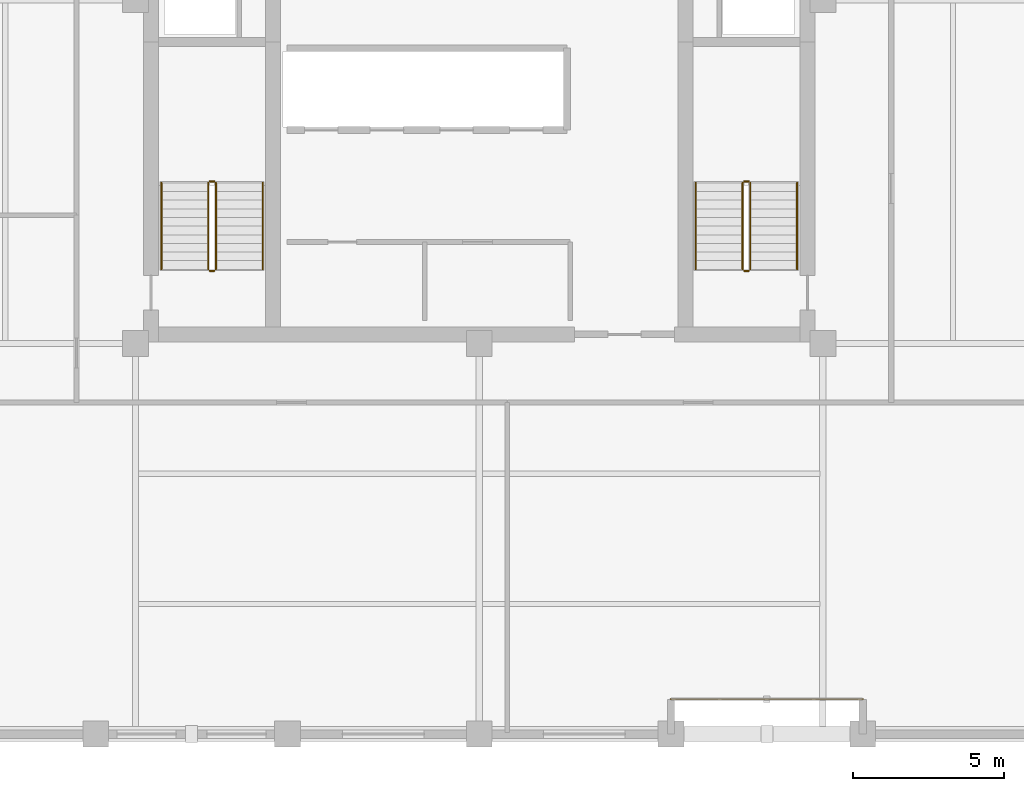
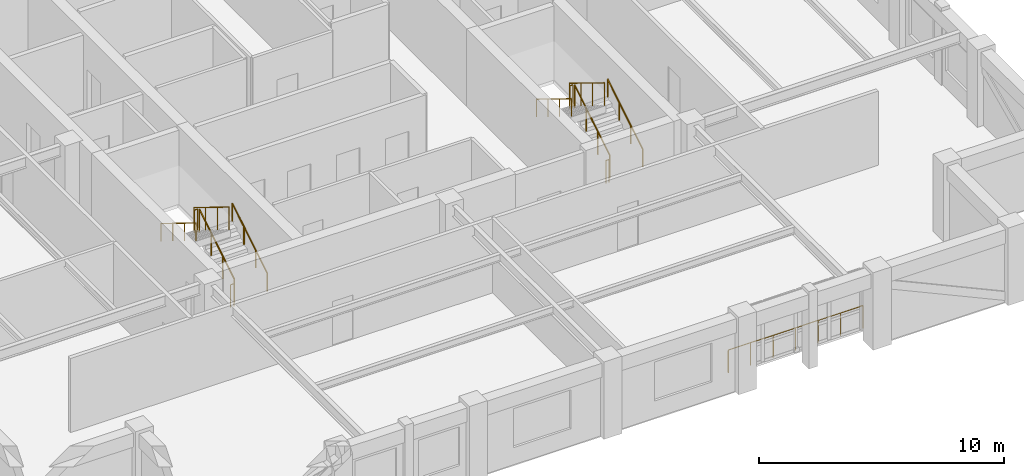
# One storey, part 13 of 13: 13 railings.
"""IFC4 building model written with IfcOpenShell, lengths in metres."""

from ifc_helpers import new_model, si_unit, direction, frame, origin, origin_2d, place, context, subcontext, project, spatial, circle, extrude, material, type_object, element, save


model = new_model("IFC4")

# Units and contexts
model_context = context("Model", 3, precision=1e-05, world=origin(), true_north=direction((0.0, 1.0)))
body_context = subcontext(model_context, "Body", "Model", "MODEL_VIEW")
ifc_project = project(units=[si_unit("LENGTHUNIT", "METRE"), si_unit("AREAUNIT", "SQUARE_METRE"), si_unit("VOLUMEUNIT", "CUBIC_METRE"), si_unit("PLANEANGLEUNIT", "RADIAN"), si_unit("MASSUNIT", "GRAM", prefix="KILO")], contexts=[model_context])

# Site, building, storey
site_placement = place(None, origin())
site = spatial("IfcSite", under=ifc_project, at=site_placement, CompositionType="ELEMENT")
building_placement = place(site_placement, origin())
building = spatial("IfcBuilding", under=site, at=building_placement, Name="Nhamokura Convention Tower", CompositionType="ELEMENT")
storey_placement = place(building_placement, frame((0.0, 0.0, 213.85009765625)))
storey = spatial("IfcBuildingStorey", under=building, at=storey_placement, Name="L52", CompositionType="ELEMENT", Elevation=213.85009765625)

# Railings
ifc_material_1 = material(Name="Anodised bronze stainless steel", Category="steel")
railing_type_1 = type_object("IfcRailingType", Name="StairWallHandrail_900", PredefinedType="HANDRAIL", material=ifc_material_1)
railing_1_placement = place(storey_placement, frame((24.85009765625, 23.10009765625, 0.1748046875)))
element("IfcRailing", 1, at=railing_1_placement, inside=storey, type_object=railing_type_1, Name="L52 ST-01 stair handrail 1", PredefinedType="HANDRAIL", context=body_context, shape_type="SweptSolid", body=[
    extrude(circle(Radius=0.02392578125, at=origin_2d()), frame((0.0, 0.0, 0.8759765625), z_axis=(0.0, 0.852159232446, 0.523282564737), x_axis=(-1.0, 0.0, 0.0)), (0.0, 0.0, 1.0), 3.34423828125),
    extrude(circle(Radius=0.02099609375, at=origin_2d()), origin(), (0.0, 0.0, 1.0), 0.851806640625),
    extrude(circle(Radius=0.02099609375, at=origin_2d()), frame((0.0, 0.949951171875, 0.583251953125)), (0.0, 0.0, 1.0), 0.851806640625),
    extrude(circle(Radius=0.02099609375, at=origin_2d()), frame((0.0, 1.89990234375, 1.166748046875)), (0.0, 0.0, 1.0), 0.851806640625),
    extrude(circle(Radius=0.02099609375, at=origin_2d()), frame((0.0, 2.849853515625, 1.75)), (0.0, 0.0, 1.0), 0.851806640625),
])
railing_2_placement = place(storey_placement, frame((21.5, 25.949951171875, 2.099853515625)))
element("IfcRailing", 2, at=railing_2_placement, inside=storey, type_object=railing_type_1, Name="L52 ST-01 stair handrail 2", PredefinedType="HANDRAIL", context=body_context, shape_type="SweptSolid", body=[
    extrude(circle(Radius=0.02392578125, at=origin_2d()), frame((0.0, 0.0, 0.8759765625), z_axis=(0.0, -0.852159232446, 0.523282564737), x_axis=(1.0, 0.0, 0.0)), (0.0, 0.0, 1.0), 3.34423828125),
    extrude(circle(Radius=0.02099609375, at=origin_2d()), origin(), (0.0, 0.0, 1.0), 0.851806640625),
    extrude(circle(Radius=0.02099609375, at=origin_2d()), frame((0.0, -0.949951171875, 0.583251953125)), (0.0, 0.0, 1.0), 0.851806640625),
    extrude(circle(Radius=0.02099609375, at=origin_2d()), frame((0.0, -1.89990234375, 1.166748046875)), (0.0, 0.0, 1.0), 0.851806640625),
    extrude(circle(Radius=0.02099609375, at=origin_2d()), frame((0.0, -2.849853515625, 1.75)), (0.0, 0.0, 1.0), 0.851806640625),
])
railing_3_placement = place(storey_placement, frame((42.5, 23.10009765625, 0.1748046875)))
element("IfcRailing", 3, at=railing_3_placement, inside=storey, type_object=railing_type_1, Name="L52 ST-02 stair handrail 1", PredefinedType="HANDRAIL", context=body_context, shape_type="SweptSolid", body=[
    extrude(circle(Radius=0.02392578125, at=origin_2d()), frame((0.0, 0.0, 0.8759765625), z_axis=(0.0, 0.852159232446, 0.523282564737), x_axis=(-1.0, 0.0, 0.0)), (0.0, 0.0, 1.0), 3.34423828125),
    extrude(circle(Radius=0.02099609375, at=origin_2d()), origin(), (0.0, 0.0, 1.0), 0.851806640625),
    extrude(circle(Radius=0.02099609375, at=origin_2d()), frame((0.0, 0.949951171875, 0.583251953125)), (0.0, 0.0, 1.0), 0.851806640625),
    extrude(circle(Radius=0.02099609375, at=origin_2d()), frame((0.0, 1.89990234375, 1.166748046875)), (0.0, 0.0, 1.0), 0.851806640625),
    extrude(circle(Radius=0.02099609375, at=origin_2d()), frame((0.0, 2.849853515625, 1.75)), (0.0, 0.0, 1.0), 0.851806640625),
])
railing_4_placement = place(storey_placement, frame((39.14990234375, 25.949951171875, 2.099853515625)))
element("IfcRailing", 4, at=railing_4_placement, inside=storey, type_object=railing_type_1, Name="L52 ST-02 stair handrail 2", PredefinedType="HANDRAIL", context=body_context, shape_type="SweptSolid", body=[
    extrude(circle(Radius=0.02392578125, at=origin_2d()), frame((0.0, 0.0, 0.8759765625), z_axis=(0.0, -0.852159232446, 0.523282564737), x_axis=(1.0, 0.0, 0.0)), (0.0, 0.0, 1.0), 3.34423828125),
    extrude(circle(Radius=0.02099609375, at=origin_2d()), origin(), (0.0, 0.0, 1.0), 0.851806640625),
    extrude(circle(Radius=0.02099609375, at=origin_2d()), frame((0.0, -0.949951171875, 0.583251953125)), (0.0, 0.0, 1.0), 0.851806640625),
    extrude(circle(Radius=0.02099609375, at=origin_2d()), frame((0.0, -1.89990234375, 1.166748046875)), (0.0, 0.0, 1.0), 0.851806640625),
    extrude(circle(Radius=0.02099609375, at=origin_2d()), frame((0.0, -2.849853515625, 1.75)), (0.0, 0.0, 1.0), 0.851806640625),
])
ifc_material_2 = material(Name="Painted tubular steel", Category="steel")
railing_type_2 = type_object("IfcRailingType", Name="StairWellGuardrail_1150", PredefinedType="GUARDRAIL", material=ifc_material_2)
railing_5_placement = place(storey_placement, frame((23.300048828125, 23.10009765625, 0.1748046875)))
element("IfcRailing", 5, at=railing_5_placement, inside=storey, type_object=railing_type_2, Name="L52 ST-01 stair guard 1", PredefinedType="GUARDRAIL", context=body_context, shape_type="SweptSolid", body=[
    extrude(circle(Radius=0.02392578125, at=origin_2d()), frame((0.0, 0.0, 1.1259765625), z_axis=(0.0, 0.852159232446, 0.523282564737), x_axis=(-1.0, 0.0, 0.0)), (0.0, 0.0, 1.0), 3.34423828125),
    extrude(circle(Radius=0.02099609375, at=origin_2d()), origin(), (0.0, 0.0, 1.0), 1.101806640625),
    extrude(circle(Radius=0.02099609375, at=origin_2d()), frame((0.0, 0.949951171875, 0.583251953125)), (0.0, 0.0, 1.0), 1.101806640625),
    extrude(circle(Radius=0.02099609375, at=origin_2d()), frame((0.0, 1.89990234375, 1.166748046875)), (0.0, 0.0, 1.0), 1.101806640625),
    extrude(circle(Radius=0.02099609375, at=origin_2d()), frame((0.0, 2.849853515625, 1.75)), (0.0, 0.0, 1.0), 1.101806640625),
])
railing_6_placement = place(storey_placement, frame((23.25, 26.0, 1.9248046875)))
element("IfcRailing", 6, at=railing_6_placement, inside=storey, type_object=railing_type_2, Name="L52 ST-01 stair guard 2", PredefinedType="GUARDRAIL", context=body_context, shape_type="SweptSolid", body=[
    extrude(circle(Radius=0.02392578125, at=origin_2d()), frame((0.0, 0.0, 1.1259765625), z_axis=(-1.0, 0.0, 0.0), x_axis=(0.0, -1.0, 0.0)), (0.0, 0.0, 1.0), 0.14990234375),
    extrude(circle(Radius=0.02099609375, at=origin_2d()), origin(), (0.0, 0.0, 1.0), 1.101806640625),
    extrude(circle(Radius=0.02099609375, at=origin_2d()), frame((-0.14990234375, 0.0, 0.0)), (0.0, 0.0, 1.0), 1.101806640625),
])
railing_7_placement = place(storey_placement, frame((23.050048828125, 25.949951171875, 2.099853515625)))
element("IfcRailing", 7, at=railing_7_placement, inside=storey, type_object=railing_type_2, Name="L52 ST-01 stair guard 3", PredefinedType="GUARDRAIL", context=body_context, shape_type="SweptSolid", body=[
    extrude(circle(Radius=0.02392578125, at=origin_2d()), frame((0.0, 0.0, 1.1259765625), z_axis=(0.0, -0.852159232446, 0.523282564737), x_axis=(1.0, 0.0, 0.0)), (0.0, 0.0, 1.0), 3.34423828125),
    extrude(circle(Radius=0.02099609375, at=origin_2d()), origin(), (0.0, 0.0, 1.0), 1.101806640625),
    extrude(circle(Radius=0.02099609375, at=origin_2d()), frame((0.0, -0.949951171875, 0.583251953125)), (0.0, 0.0, 1.0), 1.101806640625),
    extrude(circle(Radius=0.02099609375, at=origin_2d()), frame((0.0, -1.89990234375, 1.166748046875)), (0.0, 0.0, 1.0), 1.101806640625),
    extrude(circle(Radius=0.02099609375, at=origin_2d()), frame((0.0, -2.849853515625, 1.75)), (0.0, 0.0, 1.0), 1.101806640625),
])
railing_8_placement = place(storey_placement, frame((23.25, 23.050048828125, 0.0)))
element("IfcRailing", 8, at=railing_8_placement, inside=storey, type_object=railing_type_2, Name="L52 ST-01 stair guard 4", PredefinedType="GUARDRAIL", context=body_context, shape_type="SweptSolid", body=[
    extrude(circle(Radius=0.02392578125, at=origin_2d()), frame((0.0, 0.0, 1.1259765625), z_axis=(-1.0, 0.0, 0.0), x_axis=(0.0, -1.0, 0.0)), (0.0, 0.0, 1.0), 0.14990234375),
    extrude(circle(Radius=0.02099609375, at=origin_2d()), origin(), (0.0, 0.0, 1.0), 1.101806640625),
    extrude(circle(Radius=0.02099609375, at=origin_2d()), frame((-0.14990234375, 0.0, 0.0)), (0.0, 0.0, 1.0), 1.101806640625),
])
railing_9_placement = place(storey_placement, frame((40.949951171875, 23.10009765625, 0.1748046875)))
element("IfcRailing", 9, at=railing_9_placement, inside=storey, type_object=railing_type_2, Name="L52 ST-02 stair guard 1", PredefinedType="GUARDRAIL", context=body_context, shape_type="SweptSolid", body=[
    extrude(circle(Radius=0.02392578125, at=origin_2d()), frame((0.0, 0.0, 1.1259765625), z_axis=(0.0, 0.852159232446, 0.523282564737), x_axis=(-1.0, 0.0, 0.0)), (0.0, 0.0, 1.0), 3.34423828125),
    extrude(circle(Radius=0.02099609375, at=origin_2d()), origin(), (0.0, 0.0, 1.0), 1.101806640625),
    extrude(circle(Radius=0.02099609375, at=origin_2d()), frame((0.0, 0.949951171875, 0.583251953125)), (0.0, 0.0, 1.0), 1.101806640625),
    extrude(circle(Radius=0.02099609375, at=origin_2d()), frame((0.0, 1.89990234375, 1.166748046875)), (0.0, 0.0, 1.0), 1.101806640625),
    extrude(circle(Radius=0.02099609375, at=origin_2d()), frame((0.0, 2.849853515625, 1.75)), (0.0, 0.0, 1.0), 1.101806640625),
])
railing_10_placement = place(storey_placement, frame((40.89990234375, 26.0, 1.9248046875)))
element("IfcRailing", 10, at=railing_10_placement, inside=storey, type_object=railing_type_2, Name="L52 ST-02 stair guard 2", PredefinedType="GUARDRAIL", context=body_context, shape_type="SweptSolid", body=[
    extrude(circle(Radius=0.02392578125, at=origin_2d()), frame((0.0, 0.0, 1.1259765625), z_axis=(-1.0, 0.0, 0.0), x_axis=(0.0, -1.0, 0.0)), (0.0, 0.0, 1.0), 0.14990234375),
    extrude(circle(Radius=0.02099609375, at=origin_2d()), origin(), (0.0, 0.0, 1.0), 1.101806640625),
    extrude(circle(Radius=0.02099609375, at=origin_2d()), frame((-0.14990234375, 0.0, 0.0)), (0.0, 0.0, 1.0), 1.101806640625),
])
railing_11_placement = place(storey_placement, frame((40.699951171875, 25.949951171875, 2.099853515625)))
element("IfcRailing", 11, at=railing_11_placement, inside=storey, type_object=railing_type_2, Name="L52 ST-02 stair guard 3", PredefinedType="GUARDRAIL", context=body_context, shape_type="SweptSolid", body=[
    extrude(circle(Radius=0.02392578125, at=origin_2d()), frame((0.0, 0.0, 1.1259765625), z_axis=(0.0, -0.852159232446, 0.523282564737), x_axis=(1.0, 0.0, 0.0)), (0.0, 0.0, 1.0), 3.34423828125),
    extrude(circle(Radius=0.02099609375, at=origin_2d()), origin(), (0.0, 0.0, 1.0), 1.101806640625),
    extrude(circle(Radius=0.02099609375, at=origin_2d()), frame((0.0, -0.949951171875, 0.583251953125)), (0.0, 0.0, 1.0), 1.101806640625),
    extrude(circle(Radius=0.02099609375, at=origin_2d()), frame((0.0, -1.89990234375, 1.166748046875)), (0.0, 0.0, 1.0), 1.101806640625),
    extrude(circle(Radius=0.02099609375, at=origin_2d()), frame((0.0, -2.849853515625, 1.75)), (0.0, 0.0, 1.0), 1.101806640625),
])
railing_12_placement = place(storey_placement, frame((40.89990234375, 23.050048828125, 0.0)))
element("IfcRailing", 12, at=railing_12_placement, inside=storey, type_object=railing_type_2, Name="L52 ST-02 stair guard 4", PredefinedType="GUARDRAIL", context=body_context, shape_type="SweptSolid", body=[
    extrude(circle(Radius=0.02392578125, at=origin_2d()), frame((0.0, 0.0, 1.1259765625), z_axis=(-1.0, 0.0, 0.0), x_axis=(0.0, -1.0, 0.0)), (0.0, 0.0, 1.0), 0.14990234375),
    extrude(circle(Radius=0.02099609375, at=origin_2d()), origin(), (0.0, 0.0, 1.0), 1.101806640625),
    extrude(circle(Radius=0.02099609375, at=origin_2d()), frame((-0.14990234375, 0.0, 0.0)), (0.0, 0.0, 1.0), 1.101806640625),
])
ifc_material_3 = material(Name="Anodised bronze stainless steel", Category="steel")
railing_type_3 = type_object("IfcRailingType", Name="TerraceGuardrail_1150", PredefinedType="GUARDRAIL", material=ifc_material_3)
railing_13_placement = place(storey_placement, frame((44.666748046875, 8.89990234375, 0.0)))
element("IfcRailing", 13, at=railing_13_placement, inside=storey, type_object=railing_type_3, Name="L52 Scale-Slot Edge Guardrail SOUTH 4", PredefinedType="GUARDRAIL", context=body_context, shape_type="SweptSolid", body=[
    extrude(circle(Radius=0.02392578125, at=origin_2d()), frame((0.0, 0.0, 1.1259765625), z_axis=(-1.0, 0.0, 0.0), x_axis=(0.0, -1.0, 0.0)), (0.0, 0.0, 1.0), 6.33349609375),
    extrude(circle(Radius=0.02099609375, at=origin_2d()), origin(), (0.0, 0.0, 1.0), 1.101806640625),
    extrude(circle(Radius=0.02099609375, at=origin_2d()), frame((-1.0556640625, 0.0, 0.0)), (0.0, 0.0, 1.0), 1.101806640625),
    extrude(circle(Radius=0.02099609375, at=origin_2d()), frame((-2.111083984375, 0.0, 0.0)), (0.0, 0.0, 1.0), 1.101806640625),
    extrude(circle(Radius=0.02099609375, at=origin_2d()), frame((-3.166748046875, 0.0, 0.0)), (0.0, 0.0, 1.0), 1.101806640625),
    extrude(circle(Radius=0.02099609375, at=origin_2d()), frame((-4.222412109375, 0.0, 0.0)), (0.0, 0.0, 1.0), 1.101806640625),
    extrude(circle(Radius=0.02099609375, at=origin_2d()), frame((-5.27783203125, 0.0, 0.0)), (0.0, 0.0, 1.0), 1.101806640625),
    extrude(circle(Radius=0.02099609375, at=origin_2d()), frame((-6.33349609375, 0.0, 0.0)), (0.0, 0.0, 1.0), 1.101806640625),
])

save(model, "model.ifc")
